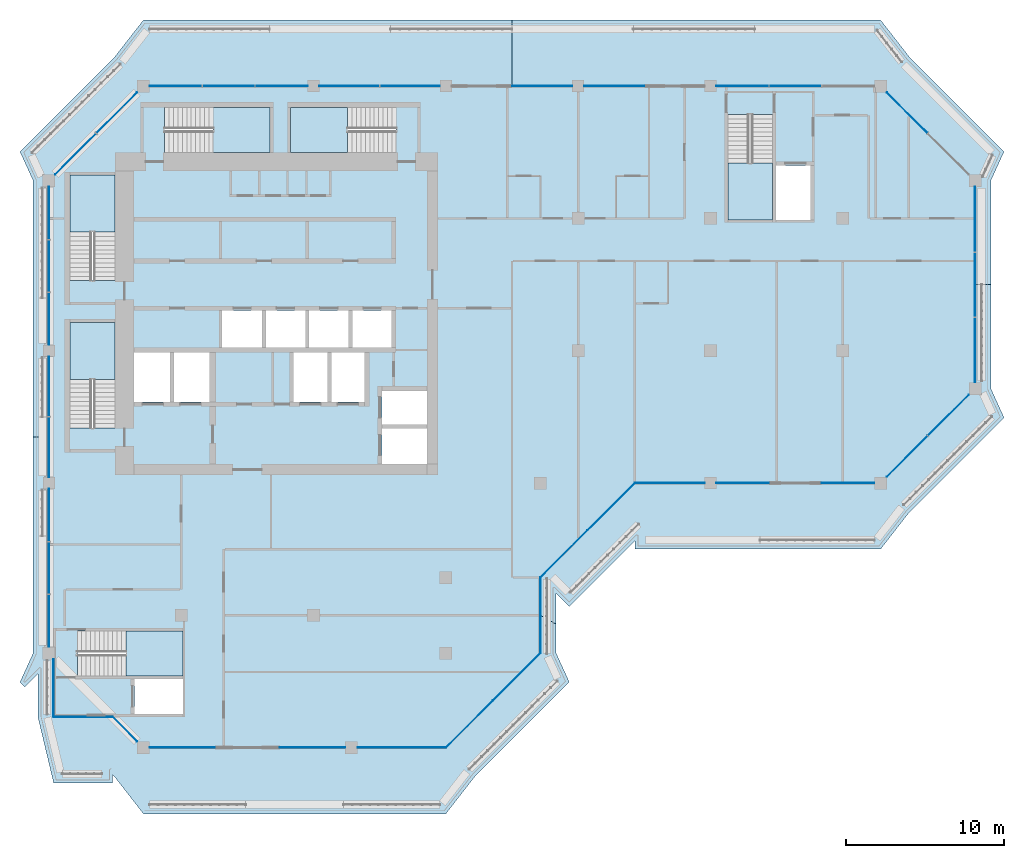
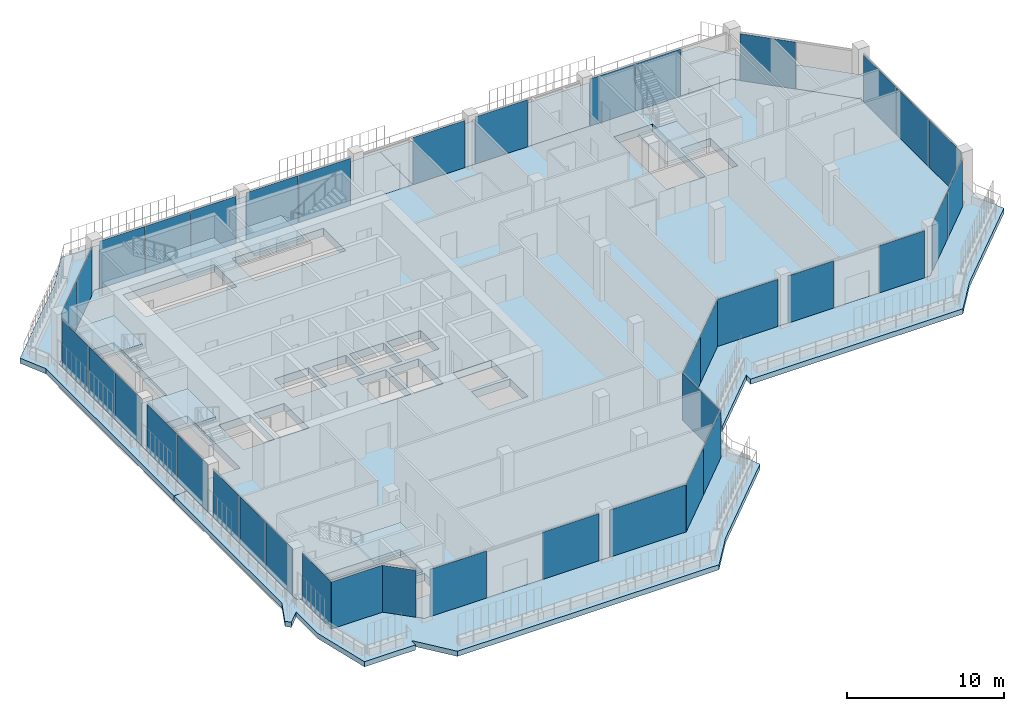
# One storey, part 8 of 20: 39 plates, 11 slabs, 20 elements without a shape of their own.
"""IFC4 building model written with IfcOpenShell, lengths in metres."""

from ifc_helpers import new_model, si_unit, direction, frame, origin, origin_2d, place, context, subcontext, project, spatial, polyline, rectangle, outline, extrude, material, layer, layer_set, type_object, element, aggregate, save


model = new_model("IFC4")

# Units and contexts
model_context = context("Model", 3, precision=1e-05, world=origin(), true_north=direction((0.0, 1.0)))
body_context = subcontext(model_context, "Body", "Model", "MODEL_VIEW")
ifc_project = project(units=[si_unit("LENGTHUNIT", "METRE"), si_unit("AREAUNIT", "SQUARE_METRE"), si_unit("VOLUMEUNIT", "CUBIC_METRE"), si_unit("PLANEANGLEUNIT", "RADIAN"), si_unit("MASSUNIT", "GRAM", prefix="KILO")], contexts=[model_context])

# Site, building, storey
site_placement = place(None, origin())
site = spatial("IfcSite", under=ifc_project, at=site_placement, CompositionType="ELEMENT")
building_placement = place(site_placement, origin())
building = spatial("IfcBuilding", under=site, at=building_placement, Name="Kawkab Arch Medical Tower", CompositionType="ELEMENT")
storey_placement = place(building_placement, frame((0.0, 0.0, 328.0)))
storey = spatial("IfcBuildingStorey", under=building, at=storey_placement, Name="L76", CompositionType="ELEMENT", Elevation=328.0)

# Curtain wall, plates
ifc_material_1 = material(Name="Bronze anodised aluminium curtain wall frame", Category="aluminium")
ifc_layer_1 = layer(ifc_material_1, 0.159912109375)
ifc_layer_set_1 = layer_set([ifc_layer_1], Name="Bronze anodised aluminium curtain wall frame")
curtain_wall_type_1 = type_object("IfcCurtainWallType", Name="CW1 ward curtain wall", PredefinedType="NOTDEFINED", material=ifc_layer_set_1)
placement_1 = place(storey_placement, origin())
curtain_wall_1 = element("IfcCurtainWall", 1, at=placement_1, inside=storey, type_object=curtain_wall_type_1, Name="CW1 Ward curtain wall R02", PredefinedType="NOTDEFINED")
ifc_material_2 = material(Name="Tinted insulating glass, bronze low-e coating", Category="glass")
ifc_layer_2 = layer(ifc_material_2, 0.031982421875)
ifc_layer_set_2 = layer_set([ifc_layer_2], Name="Tinted insulating glass, bronze low-e coating")
plate_type_1 = type_object("IfcPlateType", Name="CW1 glazing unit 32", PredefinedType="CURTAIN_PANEL", material=ifc_layer_set_2)
plate_1_placement = place(storey_placement, frame((0.0, -8.055908203125, 0.0), z_axis=(0.0, 0.0, 1.0), x_axis=(0.0, -1.0, 0.0)))
plate_1 = element("IfcPlate", 2, at=plate_1_placement, type_object=plate_type_1, Name="CW1 glazing unit 1.1", PredefinedType="CURTAIN_PANEL", context=body_context, shape_type="SweptSolid", body=[
    extrude(rectangle(XDim=3.311767578125, YDim=0.031982421875, at=origin_2d()), origin(), (0.0, 0.0, 1.0), 3.659912109375),
])
plate_2_placement = place(storey_placement, frame((0.0, -11.41259765625, 0.0), z_axis=(0.0, 0.0, 1.0), x_axis=(0.0, -1.0, 0.0)))
plate_2 = element("IfcPlate", 3, at=plate_2_placement, type_object=plate_type_1, Name="CW1 glazing unit 1.2", PredefinedType="CURTAIN_PANEL", context=body_context, shape_type="SweptSolid", body=[
    extrude(rectangle(XDim=3.28173828125, YDim=0.031982421875, at=origin_2d()), origin(), (0.0, 0.0, 1.0), 3.659912109375),
])
plate_3_placement = place(storey_placement, frame((0.0, -14.769287109375, 0.0), z_axis=(0.0, 0.0, 1.0), x_axis=(0.0, -1.0, 0.0)))
plate_3 = element("IfcPlate", 4, at=plate_3_placement, type_object=plate_type_1, Name="CW1 glazing unit 1.3", PredefinedType="CURTAIN_PANEL", context=body_context, shape_type="SweptSolid", body=[
    extrude(rectangle(XDim=3.311767578125, YDim=0.031982421875, at=origin_2d()), origin(), (0.0, 0.0, 1.0), 3.659912109375),
])
plate_4_placement = place(storey_placement, frame((0.0, -19.072509765625, 0.0), z_axis=(0.0, 0.0, 1.0), x_axis=(0.0, -1.0, 0.0)))
plate_4 = element("IfcPlate", 5, at=plate_4_placement, type_object=plate_type_1, Name="CW1 glazing unit 2.1", PredefinedType="CURTAIN_PANEL", context=body_context, shape_type="SweptSolid", body=[
    extrude(rectangle(XDim=3.794921875, YDim=0.031982421875, at=origin_2d()), origin(), (0.0, 0.0, 1.0), 3.659912109375),
])
plate_5_placement = place(storey_placement, frame((0.0, -22.927490234375, 0.0), z_axis=(0.0, 0.0, 1.0), x_axis=(0.0, -1.0, 0.0)))
plate_5 = element("IfcPlate", 6, at=plate_5_placement, type_object=plate_type_1, Name="CW1 glazing unit 2.2", PredefinedType="CURTAIN_PANEL", context=body_context, shape_type="SweptSolid", body=[
    extrude(rectangle(XDim=3.794921875, YDim=0.031982421875, at=origin_2d()), origin(), (0.0, 0.0, 1.0), 3.659912109375),
])
plate_6_placement = place(storey_placement, frame((0.0, -27.230712890625, 0.0), z_axis=(0.0, 0.0, 1.0), x_axis=(0.0, -1.0, 0.0)))
plate_6 = element("IfcPlate", 7, at=plate_6_placement, type_object=plate_type_1, Name="CW1 glazing unit 3.1", PredefinedType="CURTAIN_PANEL", context=body_context, shape_type="SweptSolid", body=[
    extrude(rectangle(XDim=3.311767578125, YDim=0.031982421875, at=origin_2d()), origin(), (0.0, 0.0, 1.0), 3.659912109375),
])
plate_7_placement = place(storey_placement, frame((0.0, -30.58740234375, 0.0), z_axis=(0.0, 0.0, 1.0), x_axis=(0.0, -1.0, 0.0)))
plate_7 = element("IfcPlate", 8, at=plate_7_placement, type_object=plate_type_1, Name="CW1 glazing unit 3.2", PredefinedType="CURTAIN_PANEL", context=body_context, shape_type="SweptSolid", body=[
    extrude(rectangle(XDim=3.28173828125, YDim=0.031982421875, at=origin_2d()), origin(), (0.0, 0.0, 1.0), 3.659912109375),
])
plate_8_placement = place(storey_placement, frame((0.0, -33.944091796875, 0.0), z_axis=(0.0, 0.0, 1.0), x_axis=(0.0, -1.0, 0.0)))
plate_8 = element("IfcPlate", 9, at=plate_8_placement, type_object=plate_type_1, Name="CW1 glazing unit 3.3", PredefinedType="CURTAIN_PANEL", context=body_context, shape_type="SweptSolid", body=[
    extrude(rectangle(XDim=3.311767578125, YDim=0.031982421875, at=origin_2d()), origin(), (0.0, 0.0, 1.0), 3.659912109375),
])
aggregate(curtain_wall_1, [plate_1, plate_2, plate_3, plate_4, plate_5, plate_6, plate_7, plate_8])

# Curtain wall, plate
curtain_wall_2 = element("IfcCurtainWall", 10, at=placement_1, inside=storey, type_object=curtain_wall_type_1, Name="CW1 Ward curtain wall R04", PredefinedType="NOTDEFINED")
plate_9_placement = place(storey_placement, frame((0.300048828125, -38.22509765625, 0.0), z_axis=(0.0, 0.0, 1.0), x_axis=(0.0, -1.0, 0.0)))
plate_9 = element("IfcPlate", 11, at=plate_9_placement, type_object=plate_type_1, Name="CW1 glazing unit 1.1", PredefinedType="CURTAIN_PANEL", context=body_context, shape_type="SweptSolid", body=[
    extrude(rectangle(XDim=3.64990234375, YDim=0.031982421875, at=origin_2d()), origin(), (0.0, 0.0, 1.0), 3.659912109375),
])
aggregate(curtain_wall_2, [plate_9])

curtain_wall_3 = element("IfcCurtainWall", 12, at=placement_1, inside=storey, type_object=curtain_wall_type_1, Name="CW1 Ward curtain wall R05", PredefinedType="NOTDEFINED")
plate_10_placement = place(storey_placement, frame((2.175048828125, -40.050048828125, 0.0), z_axis=(0.0, 0.0, 1.0), x_axis=(1.0, 0.0, 0.0)))
plate_10 = element("IfcPlate", 13, at=plate_10_placement, type_object=plate_type_1, Name="CW1 glazing unit 1.1", PredefinedType="CURTAIN_PANEL", context=body_context, shape_type="SweptSolid", body=[
    extrude(rectangle(XDim=3.75, YDim=0.031982421875, at=origin_2d()), origin(), (0.0, 0.0, 1.0), 3.659912109375),
])
aggregate(curtain_wall_3, [plate_10])

# Curtain wall, plates
curtain_wall_4 = element("IfcCurtainWall", 14, at=placement_1, inside=storey, type_object=curtain_wall_type_1, Name="CW1 Ward curtain wall R07", PredefinedType="NOTDEFINED")
plate_11_placement = place(storey_placement, frame((8.466552734375, -42.0, 0.0), z_axis=(0.0, 0.0, 1.0), x_axis=(1.0, 0.0, 0.0)))
plate_11 = element("IfcPlate", 15, at=plate_11_placement, type_object=plate_type_1, Name="CW1 glazing unit 1.1", PredefinedType="CURTAIN_PANEL", context=body_context, shape_type="SweptSolid", body=[
    extrude(rectangle(XDim=4.13330078125, YDim=0.031982421875, at=origin_2d()), origin(), (0.0, 0.0, 1.0), 3.659912109375),
])
plate_12_placement = place(storey_placement, frame((16.7333984375, -42.0, 0.0), z_axis=(0.0, 0.0, 1.0), x_axis=(1.0, 0.0, 0.0)))
plate_12 = element("IfcPlate", 16, at=plate_12_placement, type_object=plate_type_1, Name="CW1 glazing unit 1.3", PredefinedType="CURTAIN_PANEL", context=body_context, shape_type="SweptSolid", body=[
    extrude(rectangle(XDim=4.13330078125, YDim=0.031982421875, at=origin_2d()), origin(), (0.0, 0.0, 1.0), 3.659912109375),
])
plate_13_placement = place(storey_placement, frame((22.39990234375, -42.0, 0.0), z_axis=(0.0, 0.0, 1.0), x_axis=(1.0, 0.0, 0.0)))
plate_13 = element("IfcPlate", 17, at=plate_13_placement, type_object=plate_type_1, Name="CW1 glazing unit 2.1", PredefinedType="CURTAIN_PANEL", context=body_context, shape_type="SweptSolid", body=[
    extrude(rectangle(XDim=5.60009765625, YDim=0.031982421875, at=origin_2d()), origin(), (0.0, 0.0, 1.0), 3.659912109375),
])
aggregate(curtain_wall_4, [plate_11, plate_12, plate_13])

# Curtain wall, plate
curtain_wall_5 = element("IfcCurtainWall", 18, at=placement_1, inside=storey, type_object=curtain_wall_type_1, Name="CW1 Ward curtain wall R09", PredefinedType="NOTDEFINED")
plate_14_placement = place(storey_placement, frame((31.199951171875, -33.60009765625, 0.0), z_axis=(0.0, 0.0, 1.0), x_axis=(0.0, 1.0, 0.0)))
plate_14 = element("IfcPlate", 19, at=plate_14_placement, type_object=plate_type_1, Name="CW1 glazing unit 1.1", PredefinedType="CURTAIN_PANEL", context=body_context, shape_type="SweptSolid", body=[
    extrude(rectangle(XDim=4.800048828125, YDim=0.031982421875, at=origin_2d()), origin(), (0.0, 0.0, 1.0), 3.659912109375),
])
aggregate(curtain_wall_5, [plate_14])

# Curtain wall, plates
curtain_wall_6 = element("IfcCurtainWall", 20, at=placement_1, inside=storey, type_object=curtain_wall_type_1, Name="CW1 Ward curtain wall R11", PredefinedType="NOTDEFINED")
plate_15_placement = place(storey_placement, frame((39.41259765625, -25.199951171875, 0.0), z_axis=(0.0, 0.0, 1.0), x_axis=(1.0, 0.0, 0.0)))
plate_15 = element("IfcPlate", 21, at=plate_15_placement, type_object=plate_type_1, Name="CW1 glazing unit 1.1", PredefinedType="CURTAIN_PANEL", context=body_context, shape_type="SweptSolid", body=[
    extrude(rectangle(XDim=4.425048828125, YDim=0.031982421875, at=origin_2d()), origin(), (0.0, 0.0, 1.0), 3.659912109375),
])
plate_16_placement = place(storey_placement, frame((44.0458984375, -25.199951171875, 0.0), z_axis=(0.0, 0.0, 1.0), x_axis=(1.0, 0.0, 0.0)))
plate_16 = element("IfcPlate", 22, at=plate_16_placement, type_object=plate_type_1, Name="CW1 glazing unit 2.1", PredefinedType="CURTAIN_PANEL", context=body_context, shape_type="SweptSolid", body=[
    extrude(rectangle(XDim=3.341552734375, YDim=0.031982421875, at=origin_2d()), origin(), (0.0, 0.0, 1.0), 3.659912109375),
])
plate_17_placement = place(storey_placement, frame((50.729248046875, -25.199951171875, 0.0), z_axis=(0.0, 0.0, 1.0), x_axis=(1.0, 0.0, 0.0)))
plate_17 = element("IfcPlate", 23, at=plate_17_placement, type_object=plate_type_1, Name="CW1 glazing unit 2.3", PredefinedType="CURTAIN_PANEL", context=body_context, shape_type="SweptSolid", body=[
    extrude(rectangle(XDim=3.341552734375, YDim=0.031982421875, at=origin_2d()), origin(), (0.0, 0.0, 1.0), 3.659912109375),
])
aggregate(curtain_wall_6, [plate_15, plate_16, plate_17])

curtain_wall_7 = element("IfcCurtainWall", 24, at=placement_1, inside=storey, type_object=curtain_wall_type_1, Name="CW1 Ward curtain wall R13", PredefinedType="NOTDEFINED")
plate_18_placement = place(storey_placement, frame((58.800048828125, -16.748291015625, 0.0), z_axis=(0.0, 0.0, 1.0), x_axis=(0.0, 1.0, 0.0)))
plate_18 = element("IfcPlate", 25, at=plate_18_placement, type_object=plate_type_1, Name="CW1 glazing unit 1.1", PredefinedType="CURTAIN_PANEL", context=body_context, shape_type="SweptSolid", body=[
    extrude(rectangle(XDim=4.103271484375, YDim=0.031982421875, at=origin_2d()), origin(), (0.0, 0.0, 1.0), 3.659912109375),
])
plate_19_placement = place(storey_placement, frame((58.800048828125, -12.60009765625, 0.0), z_axis=(0.0, 0.0, 1.0), x_axis=(0.0, 1.0, 0.0)))
plate_19 = element("IfcPlate", 26, at=plate_19_placement, type_object=plate_type_1, Name="CW1 glazing unit 1.2", PredefinedType="CURTAIN_PANEL", context=body_context, shape_type="SweptSolid", body=[
    extrude(rectangle(XDim=4.0732421875, YDim=0.031982421875, at=origin_2d()), origin(), (0.0, 0.0, 1.0), 3.659912109375),
])
plate_20_placement = place(storey_placement, frame((58.800048828125, -8.45166015625, 0.0), z_axis=(0.0, 0.0, 1.0), x_axis=(0.0, 1.0, 0.0)))
plate_20 = element("IfcPlate", 27, at=plate_20_placement, type_object=plate_type_1, Name="CW1 glazing unit 1.3", PredefinedType="CURTAIN_PANEL", context=body_context, shape_type="SweptSolid", body=[
    extrude(rectangle(XDim=4.103271484375, YDim=0.031982421875, at=origin_2d()), origin(), (0.0, 0.0, 1.0), 3.659912109375),
])
aggregate(curtain_wall_7, [plate_18, plate_19, plate_20])

curtain_wall_8 = element("IfcCurtainWall", 28, at=placement_1, inside=storey, type_object=curtain_wall_type_1, Name="CW1 Ward curtain wall R15", PredefinedType="NOTDEFINED")
plate_21_placement = place(storey_placement, frame((47.387451171875, 0.0, 0.0), z_axis=(0.0, 0.0, 1.0), x_axis=(-1.0, 0.0, 0.0)))
plate_21 = element("IfcPlate", 29, at=plate_21_placement, type_object=plate_type_1, Name="CW1 glazing unit 1.2", PredefinedType="CURTAIN_PANEL", context=body_context, shape_type="SweptSolid", body=[
    extrude(rectangle(XDim=3.28173828125, YDim=0.031982421875, at=origin_2d()), origin(), (0.0, 0.0, 1.0), 3.659912109375),
])
plate_22_placement = place(storey_placement, frame((44.03076171875, 0.0, 0.0), z_axis=(0.0, 0.0, 1.0), x_axis=(-1.0, 0.0, 0.0)))
plate_22 = element("IfcPlate", 30, at=plate_22_placement, type_object=plate_type_1, Name="CW1 glazing unit 1.3", PredefinedType="CURTAIN_PANEL", context=body_context, shape_type="SweptSolid", body=[
    extrude(rectangle(XDim=3.311767578125, YDim=0.031982421875, at=origin_2d()), origin(), (0.0, 0.0, 1.0), 3.659912109375),
])
plate_23_placement = place(storey_placement, frame((35.887451171875, 0.0, 0.0), z_axis=(0.0, 0.0, 1.0), x_axis=(-1.0, 0.0, 0.0)))
plate_23 = element("IfcPlate", 31, at=plate_23_placement, type_object=plate_type_1, Name="CW1 glazing unit 2.2", PredefinedType="CURTAIN_PANEL", context=body_context, shape_type="SweptSolid", body=[
    extrude(rectangle(XDim=3.824951171875, YDim=0.031982421875, at=origin_2d()), origin(), (0.0, 0.0, 1.0), 3.659912109375),
])
plate_24_placement = place(storey_placement, frame((31.3125, 0.0, 0.0), z_axis=(0.0, 0.0, 1.0), x_axis=(-1.0, 0.0, 0.0)))
plate_24 = element("IfcPlate", 32, at=plate_24_placement, type_object=plate_type_1, Name="CW1 glazing unit 3.1", PredefinedType="CURTAIN_PANEL", context=body_context, shape_type="SweptSolid", body=[
    extrude(rectangle(XDim=3.824951171875, YDim=0.031982421875, at=origin_2d()), origin(), (0.0, 0.0, 1.0), 3.659912109375),
])
plate_25_placement = place(storey_placement, frame((22.927490234375, 0.0, 0.0), z_axis=(0.0, 0.0, 1.0), x_axis=(-1.0, 0.0, 0.0)))
plate_25 = element("IfcPlate", 33, at=plate_25_placement, type_object=plate_type_1, Name="CW1 glazing unit 4.1", PredefinedType="CURTAIN_PANEL", context=body_context, shape_type="SweptSolid", body=[
    extrude(rectangle(XDim=3.794921875, YDim=0.031982421875, at=origin_2d()), origin(), (0.0, 0.0, 1.0), 3.659912109375),
])
plate_26_placement = place(storey_placement, frame((19.072509765625, 0.0, 0.0), z_axis=(0.0, 0.0, 1.0), x_axis=(-1.0, 0.0, 0.0)))
plate_26 = element("IfcPlate", 34, at=plate_26_placement, type_object=plate_type_1, Name="CW1 glazing unit 4.2", PredefinedType="CURTAIN_PANEL", context=body_context, shape_type="SweptSolid", body=[
    extrude(rectangle(XDim=3.794921875, YDim=0.031982421875, at=origin_2d()), origin(), (0.0, 0.0, 1.0), 3.659912109375),
])
plate_27_placement = place(storey_placement, frame((14.769287109375, 0.0, 0.0), z_axis=(0.0, 0.0, 1.0), x_axis=(-1.0, 0.0, 0.0)))
plate_27 = element("IfcPlate", 35, at=plate_27_placement, type_object=plate_type_1, Name="CW1 glazing unit 5.1", PredefinedType="CURTAIN_PANEL", context=body_context, shape_type="SweptSolid", body=[
    extrude(rectangle(XDim=3.311767578125, YDim=0.031982421875, at=origin_2d()), origin(), (0.0, 0.0, 1.0), 3.659912109375),
])
plate_28_placement = place(storey_placement, frame((11.41259765625, 0.0, 0.0), z_axis=(0.0, 0.0, 1.0), x_axis=(-1.0, 0.0, 0.0)))
plate_28 = element("IfcPlate", 36, at=plate_28_placement, type_object=plate_type_1, Name="CW1 glazing unit 5.2", PredefinedType="CURTAIN_PANEL", context=body_context, shape_type="SweptSolid", body=[
    extrude(rectangle(XDim=3.28173828125, YDim=0.031982421875, at=origin_2d()), origin(), (0.0, 0.0, 1.0), 3.659912109375),
])
plate_29_placement = place(storey_placement, frame((8.055908203125, 0.0, 0.0), z_axis=(0.0, 0.0, 1.0), x_axis=(-1.0, 0.0, 0.0)))
plate_29 = element("IfcPlate", 37, at=plate_29_placement, type_object=plate_type_1, Name="CW1 glazing unit 5.3", PredefinedType="CURTAIN_PANEL", context=body_context, shape_type="SweptSolid", body=[
    extrude(rectangle(XDim=3.311767578125, YDim=0.031982421875, at=origin_2d()), origin(), (0.0, 0.0, 1.0), 3.659912109375),
])
aggregate(curtain_wall_8, [plate_21, plate_22, plate_23, plate_24, plate_25, plate_26, plate_27, plate_28, plate_29])

ifc_material_3 = material(Name="Bronze anodised aluminium curtain wall frame", Category="aluminium")
ifc_layer_3 = layer(ifc_material_3, 0.159912109375)
ifc_layer_set_3 = layer_set([ifc_layer_3], Name="Bronze anodised aluminium curtain wall frame")
curtain_wall_type_2 = type_object("IfcCurtainWallType", Name="CW2 chamfer curtain wall", PredefinedType="NOTDEFINED", material=ifc_layer_set_3)
curtain_wall_9 = element("IfcCurtainWall", 38, at=placement_1, inside=storey, type_object=curtain_wall_type_2, Name="CW2 Chamfer curtain wall R01", PredefinedType="NOTDEFINED")
ifc_material_4 = material(Name="Tinted insulating glass, bronze low-e coating", Category="glass")
ifc_layer_4 = layer(ifc_material_4, 0.031982421875)
ifc_layer_set_4 = layer_set([ifc_layer_4], Name="Tinted insulating glass, bronze low-e coating")
plate_type_2 = type_object("IfcPlateType", Name="CW2 glazing unit 32", PredefinedType="CURTAIN_PANEL", material=ifc_layer_set_4)
plate_30_placement = place(storey_placement, frame((4.310546875, -1.689453125, 0.0), z_axis=(0.0, 0.0, 1.0), x_axis=(-0.707106781187, -0.707106781187, 0.0)))
plate_30 = element("IfcPlate", 39, at=plate_30_placement, type_object=plate_type_2, Name="CW2 glazing unit 1.1", PredefinedType="CURTAIN_PANEL", context=body_context, shape_type="SweptSolid", body=[
    extrude(rectangle(XDim=3.64697265625, YDim=0.031982421875, at=origin_2d()), origin(), (0.0, 0.0, 1.0), 3.639892578125),
])
plate_31_placement = place(storey_placement, frame((1.689453125, -4.310546875, 0.0), z_axis=(0.0, 0.0, 1.0), x_axis=(-0.707106781187, -0.707106781187, 0.0)))
plate_31 = element("IfcPlate", 40, at=plate_31_placement, type_object=plate_type_2, Name="CW2 glazing unit 1.2", PredefinedType="CURTAIN_PANEL", context=body_context, shape_type="SweptSolid", body=[
    extrude(rectangle(XDim=3.64697265625, YDim=0.031982421875, at=origin_2d()), origin(), (0.0, 0.0, 1.0), 3.639892578125),
])
aggregate(curtain_wall_9, [plate_30, plate_31])

# Curtain wall, plate
curtain_wall_10 = element("IfcCurtainWall", 41, at=placement_1, inside=storey, type_object=curtain_wall_type_2, Name="CW2 Chamfer curtain wall R06", PredefinedType="NOTDEFINED")
plate_32_placement = place(storey_placement, frame((4.824951171875, -40.824951171875, 0.0), z_axis=(0.0, 0.0, 1.0), x_axis=(0.707106781187, -0.707106781187, 0.0)))
plate_32 = element("IfcPlate", 42, at=plate_32_placement, type_object=plate_type_2, Name="CW2 glazing unit 1.1", PredefinedType="CURTAIN_PANEL", context=body_context, shape_type="SweptSolid", body=[
    extrude(rectangle(XDim=2.192138671875, YDim=0.031982421875, at=origin_2d()), origin(), (0.0, 0.0, 1.0), 3.639892578125),
])
aggregate(curtain_wall_10, [plate_32])

# Curtain wall, plates
curtain_wall_11 = element("IfcCurtainWall", 43, at=placement_1, inside=storey, type_object=curtain_wall_type_2, Name="CW2 Chamfer curtain wall R08", PredefinedType="NOTDEFINED")
plate_33_placement = place(storey_placement, frame((26.699951171875, -40.5, 0.0), z_axis=(0.0, 0.0, 1.0), x_axis=(0.707106781187, 0.707106781187, 0.0)))
plate_33 = element("IfcPlate", 44, at=plate_33_placement, type_object=plate_type_2, Name="CW2 glazing unit 1.1", PredefinedType="CURTAIN_PANEL", context=body_context, shape_type="SweptSolid", body=[
    extrude(rectangle(XDim=4.24267578125, YDim=0.031982421875, at=origin_2d()), origin(), (0.0, 0.0, 1.0), 3.639892578125),
])
plate_34_placement = place(storey_placement, frame((29.699951171875, -37.5, 0.0), z_axis=(0.0, 0.0, 1.0), x_axis=(0.707106781187, 0.707106781187, 0.0)))
plate_34 = element("IfcPlate", 45, at=plate_34_placement, type_object=plate_type_2, Name="CW2 glazing unit 2.1", PredefinedType="CURTAIN_PANEL", context=body_context, shape_type="SweptSolid", body=[
    extrude(rectangle(XDim=4.24267578125, YDim=0.031982421875, at=origin_2d()), origin(), (0.0, 0.0, 1.0), 3.639892578125),
])
aggregate(curtain_wall_11, [plate_33, plate_34])

curtain_wall_12 = element("IfcCurtainWall", 46, at=placement_1, inside=storey, type_object=curtain_wall_type_2, Name="CW2 Chamfer curtain wall R10", PredefinedType="NOTDEFINED")
plate_35_placement = place(storey_placement, frame((32.699951171875, -29.699951171875, 0.0), z_axis=(0.0, 0.0, 1.0), x_axis=(0.707106781187, 0.707106781187, 0.0)))
plate_35 = element("IfcPlate", 47, at=plate_35_placement, type_object=plate_type_2, Name="CW2 glazing unit 1.1", PredefinedType="CURTAIN_PANEL", context=body_context, shape_type="SweptSolid", body=[
    extrude(rectangle(XDim=4.24267578125, YDim=0.031982421875, at=origin_2d()), origin(), (0.0, 0.0, 1.0), 3.639892578125),
])
plate_36_placement = place(storey_placement, frame((35.699951171875, -26.699951171875, 0.0), z_axis=(0.0, 0.0, 1.0), x_axis=(0.707106781187, 0.707106781187, 0.0)))
plate_36 = element("IfcPlate", 48, at=plate_36_placement, type_object=plate_type_2, Name="CW2 glazing unit 2.1", PredefinedType="CURTAIN_PANEL", context=body_context, shape_type="SweptSolid", body=[
    extrude(rectangle(XDim=4.24267578125, YDim=0.031982421875, at=origin_2d()), origin(), (0.0, 0.0, 1.0), 3.639892578125),
])
aggregate(curtain_wall_12, [plate_35, plate_36])

curtain_wall_13 = element("IfcCurtainWall", 49, at=placement_1, inside=storey, type_object=curtain_wall_type_2, Name="CW2 Chamfer curtain wall R12", PredefinedType="NOTDEFINED")
plate_37_placement = place(storey_placement, frame((54.489501953125, -23.510498046875, 0.0), z_axis=(0.0, 0.0, 1.0), x_axis=(0.707106781187, 0.707106781187, 0.0)))
plate_37 = element("IfcPlate", 50, at=plate_37_placement, type_object=plate_type_2, Name="CW2 glazing unit 1.1", PredefinedType="CURTAIN_PANEL", context=body_context, shape_type="SweptSolid", body=[
    extrude(rectangle(XDim=3.64697265625, YDim=0.031982421875, at=origin_2d()), origin(), (0.0, 0.0, 1.0), 3.639892578125),
])
plate_38_placement = place(storey_placement, frame((57.110595703125, -20.889404296875, 0.0), z_axis=(0.0, 0.0, 1.0), x_axis=(0.707106781187, 0.707106781187, 0.0)))
plate_38 = element("IfcPlate", 51, at=plate_38_placement, type_object=plate_type_2, Name="CW2 glazing unit 1.2", PredefinedType="CURTAIN_PANEL", context=body_context, shape_type="SweptSolid", body=[
    extrude(rectangle(XDim=3.64697265625, YDim=0.031982421875, at=origin_2d()), origin(), (0.0, 0.0, 1.0), 3.639892578125),
])
aggregate(curtain_wall_13, [plate_37, plate_38])

# Curtain wall, plate
curtain_wall_14 = element("IfcCurtainWall", 52, at=placement_1, inside=storey, type_object=curtain_wall_type_2, Name="CW2 Chamfer curtain wall R14", PredefinedType="NOTDEFINED")
plate_39_placement = place(storey_placement, frame((54.489501953125, -1.689453125, 0.0), z_axis=(0.0, 0.0, 1.0), x_axis=(-0.707106781187, 0.707106781187, 0.0)))
plate_39 = element("IfcPlate", 53, at=plate_39_placement, type_object=plate_type_2, Name="CW2 glazing unit 1.2", PredefinedType="CURTAIN_PANEL", context=body_context, shape_type="SweptSolid", body=[
    extrude(rectangle(XDim=3.64697265625, YDim=0.031982421875, at=origin_2d()), origin(), (0.0, 0.0, 1.0), 3.639892578125),
])
aggregate(curtain_wall_14, [plate_39])

# Stair, slab
ifc_material_5 = material(Name="Concrete C40/50", Category="concrete")
stair_type = type_object("IfcStairType", Name="Exit stair 1350", PredefinedType="HALF_TURN_STAIR", material=ifc_material_5)
stair_1 = element("IfcStair", 54, at=placement_1, inside=storey, type_object=stair_type, Name="L76 Exit stair ST1", PredefinedType="HALF_TURN_STAIR")
ifc_material_6 = material(Name="Concrete C40/50", Category="concrete")
ifc_layer_5 = layer(ifc_material_6, 0.199951171875)
ifc_layer_set_5 = layer_set([ifc_layer_5], Name="Concrete C40/50")
slab_type_1 = type_object("IfcSlabType", Name="Exit stair landing 200", PredefinedType="LANDING", material=ifc_layer_set_5)
placement_2 = place(storey_placement, frame((0.0, 0.0, 1.89990234375)))
slab_1 = element("IfcSlab", 55, at=placement_2, type_object=slab_type_1, Name="ST1 landing 1", PredefinedType="LANDING", context=body_context, shape_type="SweptSolid", body=[
    extrude(outline(polyline([(4.199951171875, -9.27001953125), (4.199951171875, -5.64990234375), (1.35009765625, -5.64990234375), (1.35009765625, -9.27001953125), (4.199951171875, -9.27001953125)])), origin(), (0.0, 0.0, 1.0), 0.2001953125),
])
aggregate(stair_1, [slab_1])

stair_2 = element("IfcStair", 56, at=placement_1, inside=storey, type_object=stair_type, Name="L76 Exit stair ST2", PredefinedType="HALF_TURN_STAIR")
slab_2 = element("IfcSlab", 57, at=placement_2, type_object=slab_type_1, Name="ST2 landing 1", PredefinedType="LANDING", context=body_context, shape_type="SweptSolid", body=[
    extrude(outline(polyline([(4.199951171875, -18.6201171875), (4.199951171875, -15.0), (1.35009765625, -15.0), (1.35009765625, -18.6201171875), (4.199951171875, -18.6201171875)])), origin(), (0.0, 0.0, 1.0), 0.2001953125),
])
aggregate(stair_2, [slab_2])

stair_3 = element("IfcStair", 58, at=placement_1, inside=storey, type_object=stair_type, Name="L76 Exit stair ST3", PredefinedType="HALF_TURN_STAIR")
slab_3 = element("IfcSlab", 59, at=placement_2, type_object=slab_type_1, Name="ST3 landing 1", PredefinedType="LANDING", context=body_context, shape_type="SweptSolid", body=[
    extrude(outline(polyline([(10.429931640625, -4.199951171875), (14.050048828125, -4.199951171875), (14.050048828125, -1.35009765625), (10.429931640625, -1.35009765625), (10.429931640625, -4.199951171875)])), origin(), (0.0, 0.0, 1.0), 0.2001953125),
])
aggregate(stair_3, [slab_3])

stair_4 = element("IfcStair", 60, at=placement_1, inside=storey, type_object=stair_type, Name="L76 Exit stair ST4", PredefinedType="HALF_TURN_STAIR")
slab_4 = element("IfcSlab", 61, at=placement_2, type_object=slab_type_1, Name="ST4 landing 1", PredefinedType="LANDING", context=body_context, shape_type="SweptSolid", body=[
    extrude(outline(polyline([(18.969970703125, -1.35009765625), (15.35009765625, -1.35009765625), (15.35009765625, -4.199951171875), (18.969970703125, -4.199951171875), (18.969970703125, -1.35009765625)])), origin(), (0.0, 0.0, 1.0), 0.2001953125),
])
aggregate(stair_4, [slab_4])

stair_5 = element("IfcStair", 62, at=placement_1, inside=storey, type_object=stair_type, Name="L76 Exit stair ST5", PredefinedType="HALF_TURN_STAIR")
slab_5 = element("IfcSlab", 63, at=placement_2, type_object=slab_type_1, Name="ST5 landing 1", PredefinedType="LANDING", context=body_context, shape_type="SweptSolid", body=[
    extrude(outline(polyline([(43.10009765625, -4.8798828125), (43.10009765625, -8.5), (45.949951171875, -8.5), (45.949951171875, -4.8798828125), (43.10009765625, -4.8798828125)])), origin(), (0.0, 0.0, 1.0), 0.2001953125),
])
aggregate(stair_5, [slab_5])

stair_6 = element("IfcStair", 64, at=placement_1, inside=storey, type_object=stair_type, Name="L76 Exit stair ST6", PredefinedType="HALF_TURN_STAIR")
slab_6 = element("IfcSlab", 65, at=placement_2, type_object=slab_type_1, Name="ST6 landing 1", PredefinedType="LANDING", context=body_context, shape_type="SweptSolid", body=[
    extrude(outline(polyline([(4.8798828125, -37.449951171875), (8.5, -37.449951171875), (8.5, -34.60009765625), (4.8798828125, -34.60009765625), (4.8798828125, -37.449951171875)])), origin(), (0.0, 0.0, 1.0), 0.2001953125),
])
aggregate(stair_6, [slab_6])

# Slabs
ifc_material_7 = material(Name="Concrete C45/55", Category="concrete")
ifc_layer_6 = layer(ifc_material_7, 0.60009765625)
ifc_layer_set_6 = layer_set([ifc_layer_6], Name="Concrete C45/55")
slab_type_2 = type_object("IfcSlabType", Name="Flat plate 600 C45/55", PredefinedType="FLOOR", material=ifc_layer_set_6)
slab_7_placement = place(storey_placement, frame((0.0, 0.0, -0.60009765625)))
element("IfcSlab", 66, at=slab_7_placement, inside=storey, type_object=slab_type_2, Name="Floor slab L76", PredefinedType="FLOOR", context=body_context, shape_type="SweptSolid", body=[
    extrude(outline(polyline([(52.800048828125, 0.0), (58.800048828125, -6.0), (58.800048828125, -19.199951171875), (52.800048828125, -25.199951171875), (37.199951171875, -25.199951171875), (31.199951171875, -31.199951171875), (31.199951171875, -36.0), (25.199951171875, -42.0), (6.0, -42.0), (4.050048828125, -40.050048828125), (0.300048828125, -40.050048828125), (0.300048828125, -36.300048828125), (0.0, -36.0), (0.0, -6.0), (6.0, 0.0), (52.800048828125, 0.0)]), holes=[polyline([(5.425048828125, -37.64990234375), (5.425048828125, -39.85009765625), (8.5, -39.85009765625), (8.5, -37.64990234375), (5.425048828125, -37.64990234375)]), polyline([(8.5, -37.449951171875), (8.5, -34.60009765625), (1.800048828125, -34.60009765625), (1.800048828125, -37.449951171875), (8.5, -37.449951171875)]), polyline([(5.39990234375, -20.050048828125), (7.675048828125, -20.050048828125), (7.675048828125, -16.89990234375), (5.39990234375, -16.89990234375), (5.39990234375, -20.050048828125)]), polyline([(10.199951171875, -16.89990234375), (7.925048828125, -16.89990234375), (7.925048828125, -20.050048828125), (10.199951171875, -20.050048828125), (10.199951171875, -16.89990234375)]), polyline([(4.199951171875, -15.0), (1.35009765625, -15.0), (1.35009765625, -21.699951171875), (4.199951171875, -21.699951171875), (4.199951171875, -15.0)]), polyline([(13.52490234375, -16.60009765625), (13.52490234375, -14.25), (11.0, -14.25), (11.0, -16.60009765625), (13.52490234375, -16.60009765625)]), polyline([(13.77490234375, -16.60009765625), (16.27490234375, -16.60009765625), (16.27490234375, -14.25), (13.77490234375, -14.25), (13.77490234375, -16.60009765625)]), polyline([(4.199951171875, -12.35009765625), (4.199951171875, -5.64990234375), (1.35009765625, -5.64990234375), (1.35009765625, -12.35009765625), (4.199951171875, -12.35009765625)]), polyline([(7.35009765625, -4.199951171875), (14.050048828125, -4.199951171875), (14.050048828125, -1.35009765625), (7.35009765625, -1.35009765625), (7.35009765625, -4.199951171875)]), polyline([(24.0, -21.72509765625), (21.14990234375, -21.72509765625), (21.14990234375, -24.0), (24.0, -24.0), (24.0, -21.72509765625)]), polyline([(24.0, -19.35009765625), (21.14990234375, -19.35009765625), (21.14990234375, -21.47509765625), (24.0, -21.47509765625), (24.0, -19.35009765625)]), polyline([(17.675048828125, -20.050048828125), (17.675048828125, -16.89990234375), (15.52490234375, -16.89990234375), (15.52490234375, -20.050048828125), (17.675048828125, -20.050048828125)]), polyline([(20.050048828125, -20.050048828125), (20.050048828125, -16.89990234375), (17.925048828125, -16.89990234375), (17.925048828125, -20.050048828125), (20.050048828125, -20.050048828125)]), polyline([(16.52490234375, -16.60009765625), (19.02490234375, -16.60009765625), (19.02490234375, -14.25), (16.52490234375, -14.25), (16.52490234375, -16.60009765625)]), polyline([(21.75, -16.60009765625), (21.75, -14.25), (19.27490234375, -14.25), (19.27490234375, -16.60009765625), (21.75, -16.60009765625)]), polyline([(46.14990234375, -8.5), (48.35009765625, -8.5), (48.35009765625, -5.02490234375), (46.14990234375, -5.02490234375), (46.14990234375, -8.5)]), polyline([(43.10009765625, -1.800048828125), (43.10009765625, -8.5), (45.949951171875, -8.5), (45.949951171875, -1.800048828125), (43.10009765625, -1.800048828125)]), polyline([(22.050048828125, -1.35009765625), (15.35009765625, -1.35009765625), (15.35009765625, -4.199951171875), (22.050048828125, -4.199951171875), (22.050048828125, -1.35009765625)])]), origin(), (0.0, 0.0, 1.0), 0.60009765625),
])
ifc_material_8 = material(Name="Concrete C40/50", Category="concrete")
ifc_layer_7 = layer(ifc_material_8, 0.39990234375)
ifc_layer_set_7 = layer_set([ifc_layer_7], Name="Concrete C40/50")
slab_type_3 = type_object("IfcSlabType", Name="Loggia slab 400", PredefinedType="FLOOR", material=ifc_layer_set_7)
placement_3 = place(storey_placement, frame((0.0, 0.0, -0.39990234375)))
element("IfcSlab", 67, at=placement_3, inside=storey, type_object=slab_type_3, Name="Loggia slab L76.1", PredefinedType="FLOOR", context=body_context, shape_type="SweptSolid", body=[
    extrude(outline(polyline([(-1.0, -36.0), (-1.0, -22.280029296875), (-0.0009765625, -22.22705078125), (-0.0009765625, -36.0), (0.0, -36.0), (0.299072265625, -36.300048828125), (0.299072265625, -40.050048828125), (4.050048828125, -40.050048828125), (6.0, -42.0), (6.0, -42.0009765625), (25.199951171875, -42.0009765625), (25.199951171875, -42.0), (31.199951171875, -36.0), (31.199951171875, -33.60107421875), (32.199951171875, -34.156005859375), (32.199951171875, -36.0), (33.0380859375, -37.837890625), (27.0380859375, -43.837890625), (25.199951171875, -46.199951171875), (6.0, -46.199951171875), (4.162109375, -43.837890625), (4.050048828125, -43.72607421875), (4.050048828125, -44.25), (0.300048828125, -44.25), (-0.699951171875, -40.050048828125), (-0.699951171875, -37.299072265625), (-1.5380859375, -38.136962890625), (-1.837890625, -37.837890625), (-1.0, -36.0)])), origin(), (0.0, 0.0, 1.0), 0.39990234375),
])
element("IfcSlab", 68, at=placement_3, inside=storey, type_object=slab_type_3, Name="Loggia slab L76.2", PredefinedType="FLOOR", context=body_context, shape_type="SweptSolid", body=[
    extrude(outline(polyline([(31.199951171875, -31.199951171875), (37.199951171875, -25.199951171875), (52.800048828125, -25.199951171875), (58.800048828125, -19.199951171875), (58.800048828125, -12.60009765625), (59.800048828125, -12.60009765625), (59.800048828125, -19.199951171875), (60.637939453125, -21.0380859375), (54.637939453125, -27.0380859375), (52.800048828125, -29.39990234375), (37.199951171875, -29.39990234375), (37.199951171875, -28.8759765625), (33.0380859375, -33.037109375), (32.199951171875, -32.198974609375), (32.199951171875, -34.155029296875), (31.199951171875, -33.60009765625), (31.199951171875, -31.199951171875)])), origin(), (0.0, 0.0, 1.0), 0.39990234375),
])
element("IfcSlab", 69, at=placement_3, inside=storey, type_object=slab_type_3, Name="Loggia slab L76.3", PredefinedType="FLOOR", context=body_context, shape_type="SweptSolid", body=[
    extrude(outline(polyline([(-1.837890625, -4.162109375), (4.162109375, 1.837890625), (6.0, 4.199951171875), (29.39990234375, 4.199951171875), (29.39990234375, 0.0009765625), (6.0, 0.0009765625), (6.0, 0.0), (0.0, -6.0), (-0.0009765625, -6.0), (-0.0009765625, -22.22607421875), (-1.0, -22.279052734375), (-1.0, -6.0), (-1.837890625, -4.162109375)])), origin(), (0.0, 0.0, 1.0), 0.39990234375),
])
element("IfcSlab", 70, at=placement_3, inside=storey, type_object=slab_type_3, Name="Loggia slab L76.4", PredefinedType="FLOOR", context=body_context, shape_type="SweptSolid", body=[
    extrude(outline(polyline([(54.637939453125, 1.837890625), (60.637939453125, -4.162109375), (59.800048828125, -6.0), (59.800048828125, -12.60009765625), (58.800048828125, -12.60009765625), (58.800048828125, -6.0), (52.800048828125, 0.0), (52.800048828125, 0.0009765625), (29.39990234375, 0.0009765625), (29.39990234375, 4.199951171875), (52.800048828125, 4.199951171875), (54.637939453125, 1.837890625)])), origin(), (0.0, 0.0, 1.0), 0.39990234375),
])

save(model, "model.ifc")
